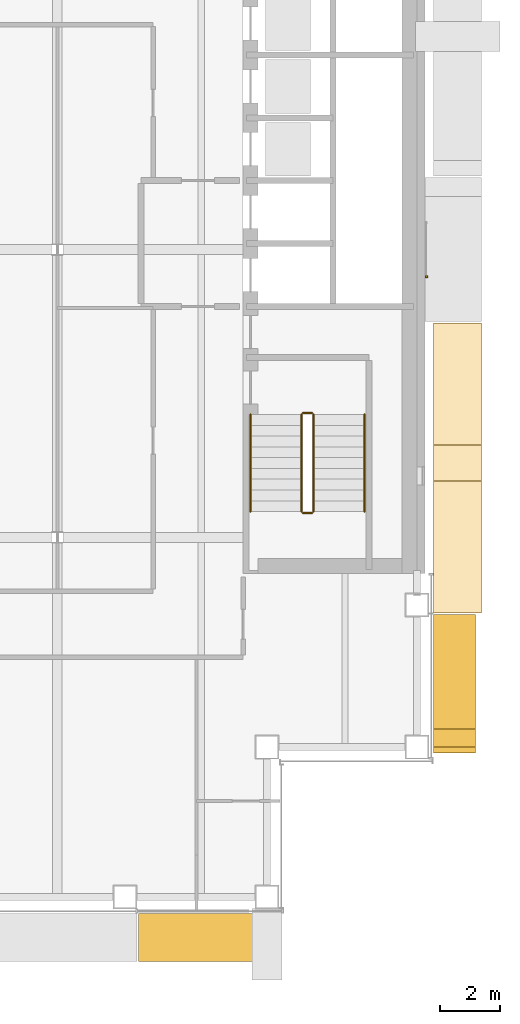
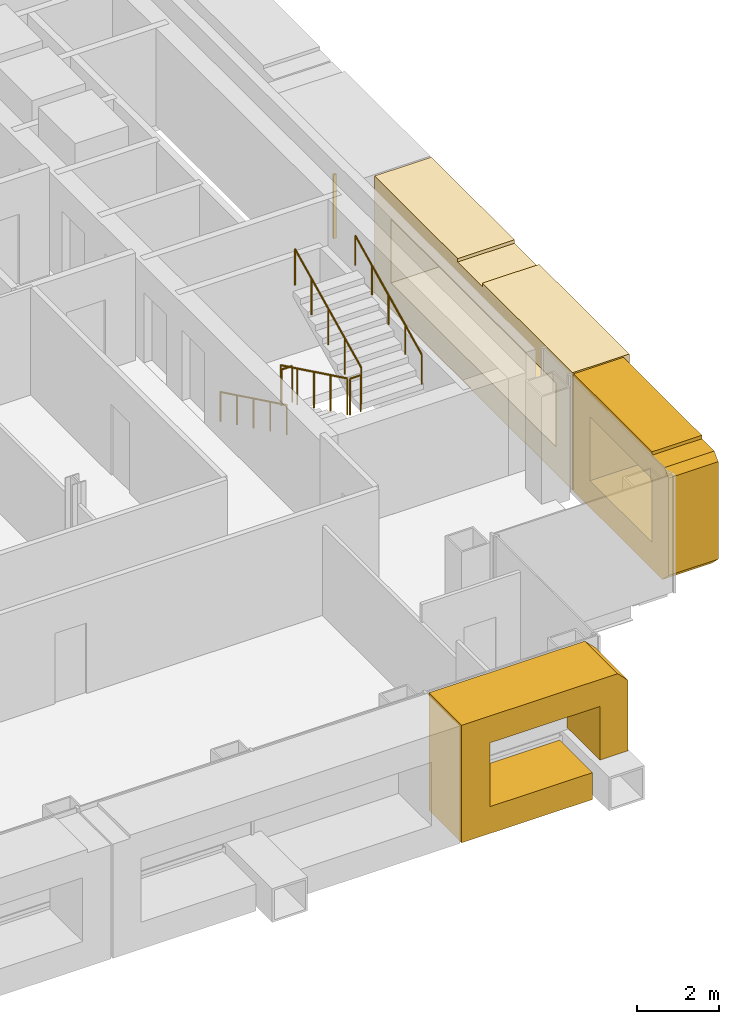
# One storey, part 18 of 21: 6 railings, 4 coverings.
"""IFC4 building model written with IfcOpenShell, lengths in metres."""

from ifc_helpers import new_model, si_unit, direction, frame, origin, origin_2d, place, context, subcontext, project, spatial, polyline, rectangle, circle, outline, extrude, material, type_object, element, save


model = new_model("IFC4")

# Units and contexts
model_context = context("Model", 3, precision=1e-05, world=origin(), true_north=direction((0.0, 1.0)))
body_context = subcontext(model_context, "Body", "Model", "MODEL_VIEW")
ifc_project = project(units=[si_unit("LENGTHUNIT", "METRE"), si_unit("AREAUNIT", "SQUARE_METRE"), si_unit("VOLUMEUNIT", "CUBIC_METRE"), si_unit("PLANEANGLEUNIT", "RADIAN"), si_unit("MASSUNIT", "GRAM", prefix="KILO")], contexts=[model_context])

# Site, building, storey
site_placement = place(None, origin())
site = spatial("IfcSite", under=ifc_project, at=site_placement, CompositionType="ELEMENT")
building_placement = place(site_placement, origin())
building = spatial("IfcBuilding", under=site, at=building_placement, Name="Cobrizo Arcos Hotel Tower", CompositionType="ELEMENT")
storey_placement = place(building_placement, frame((0.0, 0.0, 183.0)))
storey = spatial("IfcBuildingStorey", under=building, at=storey_placement, Name="L47", CompositionType="ELEMENT", Elevation=183.0)

# Coverings
ifc_material_1 = material(Name="Aluminium 6063-T6 anodised bronze", Category="aluminium")
covering_type_1 = type_object("IfcCoveringType", Name="FIN-F 1400", PredefinedType="CLADDING", material=ifc_material_1)
covering_1_placement = place(storey_placement, frame((22.14990234375, -16.800048828125, 0.0), z_axis=(1.0, 0.0, 0.0), x_axis=(0.0, 1.0, 0.0)))
element("IfcCovering", 1, at=covering_1_placement, inside=storey, type_object=covering_type_1, Name="Fin frame 226", PredefinedType="CLADDING", context=body_context, shape_type="SweptSolid", body=[
    extrude(outline(polyline([(4.632080078125, 3.5), (0.802001953125, 3.5), (0.802001953125, 3.39794921875), (0.197998046875, 3.39794921875), (0.0, 3.199951171875), (0.0, 0.300048828125), (0.300048828125, 0.0), (4.632080078125, 0.0), (4.632080078125, 3.5)]), holes=[polyline([(3.83203125, 0.800048828125), (0.800048828125, 0.800048828125), (0.800048828125, 2.699951171875), (3.83203125, 2.699951171875), (3.83203125, 0.800048828125)])]), origin(), (0.0, 0.0, 1.0), 1.400146484375),
])
covering_type_2 = type_object("IfcCoveringType", Name="FIN-F 1600", PredefinedType="CLADDING", material=ifc_material_1)
covering_2_placement = place(storey_placement, frame((22.14990234375, -12.117919921875, 0.0), z_axis=(1.0, 0.0, 0.0), x_axis=(0.0, 1.0, 0.0)))
element("IfcCovering", 2, at=covering_2_placement, inside=storey, type_object=covering_type_2, Name="Fin frame 227", PredefinedType="CLADDING", context=body_context, shape_type="SweptSolid", body=[
    extrude(outline(polyline([(9.664306640625, 3.5), (5.605712890625, 3.5), (5.605712890625, 3.39794921875), (4.401611328125, 3.39794921875), (4.401611328125, 3.5), (0.0, 3.5), (0.0, 0.0), (9.664306640625, 0.0), (9.664306640625, 3.5)]), holes=[polyline([(8.8642578125, 0.800048828125), (0.800048828125, 0.800048828125), (0.800048828125, 2.699951171875), (8.8642578125, 2.699951171875), (8.8642578125, 0.800048828125)])]), origin(), (0.0, 0.0, 1.0), 1.60009765625),
])
covering_3_placement = place(storey_placement, frame((12.310791015625, -22.14990234375, 0.0), z_axis=(0.0, -1.0, 0.0), x_axis=(1.0, 0.0, 0.0)))
element("IfcCovering", 3, at=covering_3_placement, inside=storey, type_object=covering_type_2, Name="Fin frame 260", PredefinedType="CLADDING", context=body_context, shape_type="SweptSolid", body=[
    extrude(outline(polyline([(0.0, 0.0), (3.687255859375, 0.0), (3.687255859375, 0.800048828125), (0.800048828125, 0.800048828125), (0.800048828125, 2.699951171875), (3.889404296875, 2.699951171875), (3.889404296875, 1.10205078125), (4.689208984375, 1.10205078125), (4.689208984375, 3.199951171875), (4.389404296875, 3.5), (0.0, 3.5), (0.0, 0.0)])), origin(), (0.0, 0.0, 1.0), 1.60009765625),
])
ifc_material_2 = material(Name="Aluminium 6063-T6 anodised pale", Category="aluminium")
covering_type_3 = type_object("IfcCoveringType", Name="RS-1 rainscreen rib 60x90", PredefinedType="CLADDING", material=ifc_material_2)
covering_4_placement = place(storey_placement, frame((21.919921875, -0.89990234375, 0.800048828125), z_axis=(0.0, 0.0, 1.0), x_axis=(0.0, 1.0, 0.0)))
element("IfcCovering", 4, at=covering_4_placement, inside=storey, type_object=covering_type_3, Name="Rainscreen rib 179", PredefinedType="CLADDING", context=body_context, shape_type="SweptSolid", body=[
    extrude(rectangle(XDim=0.06005859375, YDim=0.090087890625, at=origin_2d()), origin(), (0.0, 0.0, 1.0), 1.89990234375),
])

# Railings
ifc_material_3 = material(Name="Stainless steel railing", Category="steel")
railing_type_1 = type_object("IfcRailingType", Name="Stair guard 1100", PredefinedType="GUARDRAIL", material=ifc_material_3)
railing_1_placement = place(storey_placement, frame((17.75, -5.5, 0.175048828125)))
element("IfcRailing", 5, at=railing_1_placement, inside=storey, type_object=railing_type_1, Name="L47 ST-E stair guard 1", PredefinedType="GUARDRAIL", context=body_context, shape_type="SweptSolid", body=[
    extrude(circle(Radius=0.02392578125, at=origin_2d()), frame((0.0, 0.0, 1.076171875), z_axis=(0.0, -0.899372665325, 0.437182809435), x_axis=(1.0, 0.0, 0.0)), (0.0, 0.0, 1.0), 3.6025390625),
    extrude(circle(Radius=0.02099609375, at=origin_2d()), origin(), (0.0, 0.0, 1.0), 1.052001953125),
    extrude(circle(Radius=0.02099609375, at=origin_2d()), frame((0.0, -0.81005859375, 0.393798828125)), (0.0, 0.0, 1.0), 1.052001953125),
    extrude(circle(Radius=0.02099609375, at=origin_2d()), frame((0.0, -1.6201171875, 0.78759765625)), (0.0, 0.0, 1.0), 1.052001953125),
    extrude(circle(Radius=0.02099609375, at=origin_2d()), frame((0.0, -2.429931640625, 1.18115234375)), (0.0, 0.0, 1.0), 1.052001953125),
    extrude(circle(Radius=0.02099609375, at=origin_2d()), frame((0.0, -3.239990234375, 1.574951171875)), (0.0, 0.0, 1.0), 1.052001953125),
])
railing_2_placement = place(storey_placement, frame((17.800048828125, -8.7900390625, 1.75)))
element("IfcRailing", 6, at=railing_2_placement, inside=storey, type_object=railing_type_1, Name="L47 ST-E stair guard 2", PredefinedType="GUARDRAIL", context=body_context, shape_type="SweptSolid", body=[
    extrude(circle(Radius=0.02392578125, at=origin_2d()), frame((0.0, 0.0, 1.076171875), z_axis=(1.0, 0.0, 0.0), x_axis=(0.0, 1.0, 0.0)), (0.0, 0.0, 1.0), 0.300048828125),
    extrude(circle(Radius=0.02099609375, at=origin_2d()), origin(), (0.0, 0.0, 1.0), 1.052001953125),
    extrude(circle(Radius=0.02099609375, at=origin_2d()), frame((0.300048828125, 0.0, 0.0)), (0.0, 0.0, 1.0), 1.052001953125),
])
railing_3_placement = place(storey_placement, frame((18.14990234375, -8.739990234375, 1.925048828125)))
element("IfcRailing", 7, at=railing_3_placement, inside=storey, type_object=railing_type_1, Name="L47 ST-E stair guard 3", PredefinedType="GUARDRAIL", context=body_context, shape_type="SweptSolid", body=[
    extrude(circle(Radius=0.02392578125, at=origin_2d()), frame((0.0, 0.0, 1.076171875), z_axis=(0.0, 0.899372665325, 0.437182809435), x_axis=(-1.0, 0.0, 0.0)), (0.0, 0.0, 1.0), 3.6025390625),
    extrude(circle(Radius=0.02099609375, at=origin_2d()), origin(), (0.0, 0.0, 1.0), 1.052001953125),
    extrude(circle(Radius=0.02099609375, at=origin_2d()), frame((0.0, 0.81005859375, 0.393798828125)), (0.0, 0.0, 1.0), 1.052001953125),
    extrude(circle(Radius=0.02099609375, at=origin_2d()), frame((0.0, 1.6201171875, 0.78759765625)), (0.0, 0.0, 1.0), 1.052001953125),
    extrude(circle(Radius=0.02099609375, at=origin_2d()), frame((0.0, 2.429931640625, 1.18115234375)), (0.0, 0.0, 1.0), 1.052001953125),
    extrude(circle(Radius=0.02099609375, at=origin_2d()), frame((0.0, 3.239990234375, 1.574951171875)), (0.0, 0.0, 1.0), 1.052001953125),
])
railing_4_placement = place(storey_placement, frame((17.800048828125, -5.449951171875, 0.0)))
element("IfcRailing", 8, at=railing_4_placement, inside=storey, type_object=railing_type_1, Name="L47 ST-E stair guard 4", PredefinedType="GUARDRAIL", context=body_context, shape_type="SweptSolid", body=[
    extrude(circle(Radius=0.02392578125, at=origin_2d()), frame((0.0, 0.0, 1.076171875), z_axis=(1.0, 0.0, 0.0), x_axis=(0.0, 1.0, 0.0)), (0.0, 0.0, 1.0), 0.300048828125),
    extrude(circle(Radius=0.02099609375, at=origin_2d()), origin(), (0.0, 0.0, 1.0), 1.052001953125),
    extrude(circle(Radius=0.02099609375, at=origin_2d()), frame((0.300048828125, 0.0, 0.0)), (0.0, 0.0, 1.0), 1.052001953125),
])
railing_type_2 = type_object("IfcRailingType", Name="Stair handrail", PredefinedType="HANDRAIL", material=ifc_material_3)
railing_5_placement = place(storey_placement, frame((16.050048828125, -5.5, 0.175048828125)))
element("IfcRailing", 9, at=railing_5_placement, inside=storey, type_object=railing_type_2, Name="L47 ST-E stair handrail 1", PredefinedType="HANDRAIL", context=body_context, shape_type="SweptSolid", body=[
    extrude(circle(Radius=0.02392578125, at=origin_2d()), frame((0.0, 0.0, 0.8759765625), z_axis=(0.0, -0.899372665325, 0.437182809435), x_axis=(1.0, 0.0, 0.0)), (0.0, 0.0, 1.0), 3.6025390625),
    extrude(circle(Radius=0.02099609375, at=origin_2d()), origin(), (0.0, 0.0, 1.0), 0.851806640625),
    extrude(circle(Radius=0.02099609375, at=origin_2d()), frame((0.0, -0.81005859375, 0.393798828125)), (0.0, 0.0, 1.0), 0.851806640625),
    extrude(circle(Radius=0.02099609375, at=origin_2d()), frame((0.0, -1.6201171875, 0.78759765625)), (0.0, 0.0, 1.0), 0.851806640625),
    extrude(circle(Radius=0.02099609375, at=origin_2d()), frame((0.0, -2.429931640625, 1.18115234375)), (0.0, 0.0, 1.0), 0.851806640625),
    extrude(circle(Radius=0.02099609375, at=origin_2d()), frame((0.0, -3.239990234375, 1.574951171875)), (0.0, 0.0, 1.0), 0.851806640625),
])
railing_6_placement = place(storey_placement, frame((19.85009765625, -8.739990234375, 1.925048828125)))
element("IfcRailing", 10, at=railing_6_placement, inside=storey, type_object=railing_type_2, Name="L47 ST-E stair handrail 2", PredefinedType="HANDRAIL", context=body_context, shape_type="SweptSolid", body=[
    extrude(circle(Radius=0.02392578125, at=origin_2d()), frame((0.0, 0.0, 0.8759765625), z_axis=(0.0, 0.899372665325, 0.437182809435), x_axis=(-1.0, 0.0, 0.0)), (0.0, 0.0, 1.0), 3.6025390625),
    extrude(circle(Radius=0.02099609375, at=origin_2d()), origin(), (0.0, 0.0, 1.0), 0.851806640625),
    extrude(circle(Radius=0.02099609375, at=origin_2d()), frame((0.0, 0.81005859375, 0.393798828125)), (0.0, 0.0, 1.0), 0.851806640625),
    extrude(circle(Radius=0.02099609375, at=origin_2d()), frame((0.0, 1.6201171875, 0.78759765625)), (0.0, 0.0, 1.0), 0.851806640625),
    extrude(circle(Radius=0.02099609375, at=origin_2d()), frame((0.0, 2.429931640625, 1.18115234375)), (0.0, 0.0, 1.0), 0.851806640625),
    extrude(circle(Radius=0.02099609375, at=origin_2d()), frame((0.0, 3.239990234375, 1.574951171875)), (0.0, 0.0, 1.0), 0.851806640625),
])

save(model, "model.ifc")
